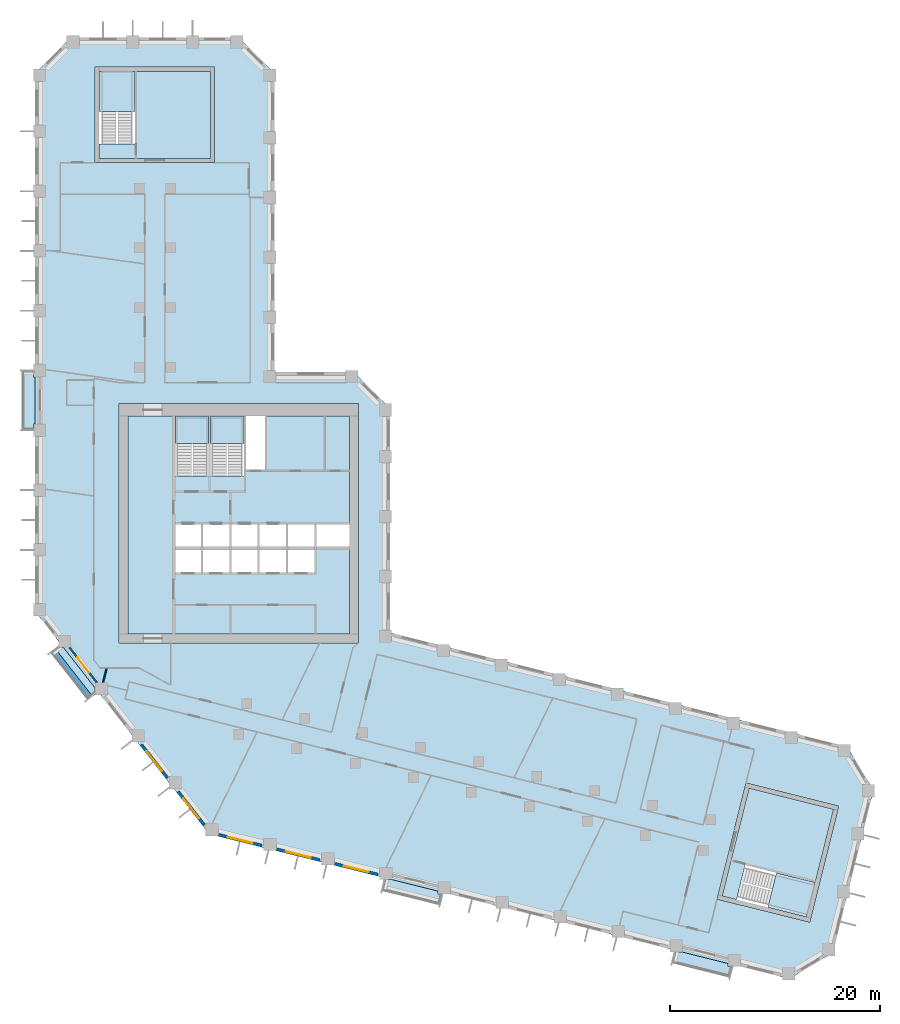
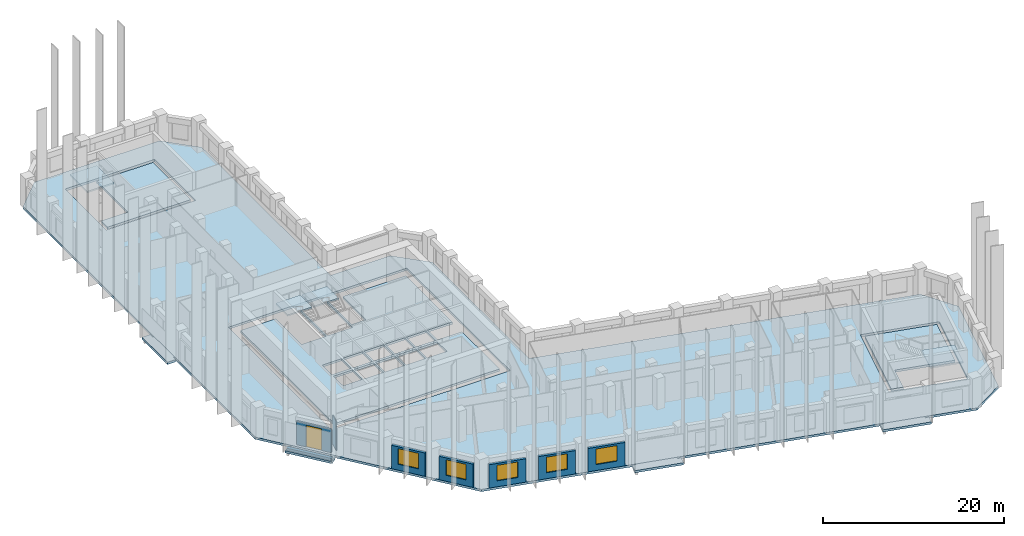
# One storey, part 2 of 10: 12 slabs, 8 walls, 5 windows, 1 door, 6 openings, 4 elements without a shape of their own.
"""IFC4 building model written with IfcOpenShell, lengths in metres."""

from ifc_helpers import new_model, si_unit, direction, frame, frame_2d, origin, place, context, subcontext, project, spatial, polyline, rectangle, outline, extrude, material, layer, layer_set, type_object, element, fill, aggregate, save


model = new_model("IFC4")

# Units and contexts
model_context = context("Model", 3, precision=1e-05, world=origin(), true_north=direction((0.0, 1.0)))
body_context = subcontext(model_context, "Body", "Model", "MODEL_VIEW")
ifc_project = project(units=[si_unit("LENGTHUNIT", "METRE"), si_unit("AREAUNIT", "SQUARE_METRE"), si_unit("VOLUMEUNIT", "CUBIC_METRE"), si_unit("PLANEANGLEUNIT", "RADIAN"), si_unit("MASSUNIT", "GRAM", prefix="KILO")], contexts=[model_context])

# Site, building, storey
site_placement = place(None, origin())
site = spatial("IfcSite", under=ifc_project, at=site_placement, CompositionType="ELEMENT")
building_placement = place(site_placement, origin())
building = spatial("IfcBuilding", under=site, at=building_placement, Name="Meshkara Civic Tower", CompositionType="ELEMENT")
storey_placement = place(building_placement, frame((0.0, 0.0, 195.0)))
storey = spatial("IfcBuildingStorey", under=building, at=storey_placement, Name="L44", CompositionType="ELEMENT", Elevation=195.0)

# Slabs
ifc_material_1 = material(Name="Concrete C40", Category="concrete")
ifc_layer_1 = layer(ifc_material_1, 0.300048828125)
ifc_layer_set_1 = layer_set([ifc_layer_1], Name="BALCONY SLAB")
slab_type_1 = type_object("IfcSlabType", Name="BALCONY SLAB", PredefinedType="FLOOR", material=ifc_layer_set_1)
slab_1_placement = place(storey_placement, frame((0.0, 0.0, -0.300048828125)))
element("IfcSlab", 1, at=slab_1_placement, inside=storey, type_object=slab_type_1, Name="Balcony slab", PredefinedType="FLOOR", context=body_context, shape_type="SweptSolid", body=[
    extrude(outline(polyline([(-1.199951171875, 34.4150390625), (-1.199951171875, 39.9951171875), (-0.14990234375, 39.9951171875), (-0.14990234375, 39.455078125), (0.0, 39.455078125), (0.0, 34.955078125), (-0.14990234375, 34.955078125), (-0.14990234375, 34.4150390625), (-1.199951171875, 34.4150390625)])), origin(), (0.0, 0.0, 1.0), 0.300048828125),
])
slab_2_placement = place(storey_placement, frame((0.0, 0.0, -0.300048828125)))
element("IfcSlab", 2, at=slab_2_placement, inside=storey, type_object=slab_type_1, Name="Balcony slab", PredefinedType="FLOOR", context=body_context, shape_type="SweptSolid", body=[
    extrude(outline(polyline([(4.986083984375, 8.76904296875), (1.551025390625, 13.166015625), (2.214111328125, 13.68408203125), (2.214111328125, 13.62890625), (2.7119140625, 13.62890625), (5.722900390625, 9.77490234375), (5.722900390625, 9.343994140625), (4.986083984375, 8.76904296875)])), origin(), (0.0, 0.0, 1.0), 0.300048828125),
])
slab_3_placement = place(storey_placement, frame((0.0, 0.0, -0.300048828125)))
element("IfcSlab", 3, at=slab_3_placement, inside=storey, type_object=slab_type_1, Name="Balcony slab", PredefinedType="FLOOR", context=body_context, shape_type="SweptSolid", body=[
    extrude(outline(polyline([(38.51708984375, -10.840087890625), (33.10205078125, -9.489990234375), (33.35498046875, -8.47509765625), (33.991943359375, -8.47509765625), (38.3740234375, -9.568115234375), (38.3740234375, -9.85302734375), (38.762939453125, -9.85302734375), (38.51708984375, -10.840087890625)])), origin(), (0.0, 0.0, 1.0), 0.300048828125),
])
slab_4_placement = place(storey_placement, frame((0.0, 0.0, -0.300048828125)))
element("IfcSlab", 4, at=slab_4_placement, inside=storey, type_object=slab_type_1, Name="Balcony slab", PredefinedType="FLOOR", context=body_context, shape_type="SweptSolid", body=[
    extrude(outline(polyline([(66.169921875, -17.73388671875), (60.756103515625, -16.385009765625), (61.009033203125, -15.368896484375), (61.64306640625, -15.368896484375), (66.027099609375, -16.4619140625), (66.027099609375, -16.748046875), (66.416015625, -16.748046875), (66.169921875, -17.73388671875)])), origin(), (0.0, 0.0, 1.0), 0.300048828125),
])
ifc_material_2 = material(Name="Concrete C40/50", Category="concrete")
ifc_layer_2 = layer(ifc_material_2, 0.300048828125)
ifc_layer_set_2 = layer_set([ifc_layer_2], Name="Core floor slab 300 C40/50")
slab_type_2 = type_object("IfcSlabType", Name="Core floor slab 300 C40/50", PredefinedType="FLOOR", material=ifc_layer_set_2)
slab_5_placement = place(storey_placement, frame((0.0, 0.0, -0.300048828125)))
element("IfcSlab", 5, at=slab_5_placement, inside=storey, type_object=slab_type_2, Name="Core floor K", PredefinedType="FLOOR", context=body_context, shape_type="SweptSolid", body=[
    extrude(outline(polyline([(8.85009765625, 35.699951171875), (13.3701171875, 35.699951171875), (13.3701171875, 30.00146484375), (16.5, 30.00146484375), (16.5, 35.699951171875), (16.699951171875, 35.699951171875), (16.699951171875, 30.00146484375), (19.89990234375, 30.00146484375), (19.89990234375, 35.699951171875), (20.10009765625, 35.699951171875), (20.10009765625, 30.574951171875), (21.925048828125, 30.574951171875), (21.925048828125, 35.699951171875), (29.949951171875, 35.699951171875), (29.949951171875, 25.39990234375), (26.800048828125, 25.39990234375), (26.800048828125, 23.27001953125), (29.949951171875, 23.27001953125), (29.949951171875, 14.949951171875), (8.85009765625, 14.949951171875), (8.85009765625, 35.699951171875)]), holes=[polyline([(15.800048828125, 22.929931640625), (13.3701171875, 22.929931640625), (13.3701171875, 20.800048828125), (15.800048828125, 20.800048828125), (15.800048828125, 22.929931640625)]), polyline([(16.0, 22.929931640625), (16.0, 20.800048828125), (18.5, 20.800048828125), (18.5, 22.929931640625), (16.0, 22.929931640625)]), polyline([(18.699951171875, 22.929931640625), (18.699951171875, 20.800048828125), (21.199951171875, 20.800048828125), (21.199951171875, 22.929931640625), (18.699951171875, 22.929931640625)]), polyline([(15.800048828125, 23.27001953125), (15.800048828125, 25.39990234375), (13.3701171875, 25.39990234375), (13.3701171875, 23.27001953125), (15.800048828125, 23.27001953125)]), polyline([(16.0, 25.39990234375), (16.0, 23.27001953125), (18.5, 23.27001953125), (18.5, 25.39990234375), (16.0, 25.39990234375)]), polyline([(23.89990234375, 20.800048828125), (23.89990234375, 22.929931640625), (21.39990234375, 22.929931640625), (21.39990234375, 20.800048828125), (23.89990234375, 20.800048828125)]), polyline([(24.10009765625, 20.800048828125), (26.60009765625, 20.800048828125), (26.60009765625, 22.929931640625), (24.10009765625, 22.929931640625), (24.10009765625, 20.800048828125)]), polyline([(18.699951171875, 25.39990234375), (18.699951171875, 23.27001953125), (21.199951171875, 23.27001953125), (21.199951171875, 25.39990234375), (18.699951171875, 25.39990234375)]), polyline([(21.39990234375, 23.27001953125), (23.89990234375, 23.27001953125), (23.89990234375, 25.39990234375), (21.39990234375, 25.39990234375), (21.39990234375, 23.27001953125)]), polyline([(24.10009765625, 23.27001953125), (26.60009765625, 23.27001953125), (26.60009765625, 25.39990234375), (24.10009765625, 25.39990234375), (24.10009765625, 23.27001953125)])]), origin(), (0.0, 0.0, 1.0), 0.300048828125),
])
slab_6_placement = place(storey_placement, frame((0.0, 0.0, -0.300048828125)))
element("IfcSlab", 6, at=slab_6_placement, inside=storey, type_object=slab_type_2, Name="Core floor EA", PredefinedType="FLOOR", context=body_context, shape_type="SweptSolid", body=[
    extrude(outline(polyline([(16.699951171875, 60.27001953125), (16.699951171875, 68.570068359375), (9.5, 68.570068359375), (9.5, 61.67138671875), (6.10009765625, 61.67138671875), (6.10009765625, 60.27001953125), (16.699951171875, 60.27001953125)])), origin(), (0.0, 0.0, 1.0), 0.300048828125),
])
slab_7_placement = place(storey_placement, frame((0.0, 0.0, -0.300048828125)))
element("IfcSlab", 7, at=slab_7_placement, inside=storey, type_object=slab_type_2, Name="Core floor EB", PredefinedType="FLOOR", context=body_context, shape_type="SweptSolid", body=[
    extrude(outline(polyline([(68.050537109375, 0.244384765625), (76.10400390625, -1.763671875), (74.362060546875, -8.749755859375), (67.66845703125, -7.080810546875), (66.845947265625, -10.3798828125), (65.486083984375, -10.040771484375), (68.050537109375, 0.244384765625)])), origin(), (0.0, 0.0, 1.0), 0.300048828125),
])

# Stair, slab
ifc_material_3 = material(Name="Precast concrete C40/50", Category="concrete")
stair_type = type_object("IfcStairType", Name="Exit stair half-turn 24 risers precast", PredefinedType="HALF_TURN_STAIR", material=ifc_material_3)
stair_1_placement = place(storey_placement, origin())
stair_1 = element("IfcStair", 8, at=stair_1_placement, inside=storey, type_object=stair_type, Name="L44 exit stair 1", PredefinedType="HALF_TURN_STAIR")
ifc_material_4 = material(Name="Precast concrete C40/50", Category="concrete")
ifc_layer_3 = layer(ifc_material_4, 0.199951171875)
ifc_layer_set_3 = layer_set([ifc_layer_3], Name="Exit stair landing 200")
slab_type_3 = type_object("IfcSlabType", Name="Exit stair landing 200", PredefinedType="LANDING", material=ifc_layer_set_3)
slab_8_placement = place(storey_placement, frame((0.0, 0.0, 1.89990234375)))
slab_8 = element("IfcSlab", 9, at=slab_8_placement, type_object=slab_type_3, Name="ST1 landing 1", PredefinedType="LANDING", context=body_context, shape_type="SweptSolid", body=[
    extrude(outline(polyline([(16.5, 33.07861328125), (16.5, 35.699951171875), (13.3701171875, 35.699951171875), (13.3701171875, 33.07861328125), (16.5, 33.07861328125)])), origin(), (0.0, 0.0, 1.0), 0.2001953125),
])
aggregate(stair_1, [slab_8])

stair_2_placement = place(storey_placement, origin())
stair_2 = element("IfcStair", 10, at=stair_2_placement, inside=storey, type_object=stair_type, Name="L44 exit stair 2", PredefinedType="HALF_TURN_STAIR")
slab_9_placement = place(storey_placement, frame((0.0, 0.0, 1.89990234375)))
slab_9 = element("IfcSlab", 11, at=slab_9_placement, type_object=slab_type_3, Name="ST2 landing 1", PredefinedType="LANDING", context=body_context, shape_type="SweptSolid", body=[
    extrude(outline(polyline([(19.89990234375, 33.07861328125), (19.89990234375, 35.699951171875), (16.699951171875, 35.699951171875), (16.699951171875, 33.07861328125), (19.89990234375, 33.07861328125)])), origin(), (0.0, 0.0, 1.0), 0.2001953125),
])
aggregate(stair_2, [slab_9])

stair_3_placement = place(storey_placement, origin())
stair_3 = element("IfcStair", 12, at=stair_3_placement, inside=storey, type_object=stair_type, Name="L44 exit stair A from L35", PredefinedType="HALF_TURN_STAIR")
slab_10_placement = place(storey_placement, frame((0.0, 0.0, 1.89990234375)))
slab_10 = element("IfcSlab", 13, at=slab_10_placement, type_object=slab_type_3, Name="ESA3 landing 1", PredefinedType="LANDING", context=body_context, shape_type="SweptSolid", body=[
    extrude(outline(polyline([(9.5, 64.74853515625), (9.5, 68.570068359375), (6.10009765625, 68.570068359375), (6.10009765625, 64.74853515625), (9.5, 64.74853515625)])), origin(), (0.0, 0.0, 1.0), 0.2001953125),
])
aggregate(stair_3, [slab_10])

stair_4_placement = place(storey_placement, origin())
stair_4 = element("IfcStair", 14, at=stair_4_placement, inside=storey, type_object=stair_type, Name="L44 exit stair B from L35", PredefinedType="HALF_TURN_STAIR")
slab_11_placement = place(storey_placement, frame((0.0, 0.0, 1.89990234375)))
slab_11 = element("IfcSlab", 15, at=slab_11_placement, type_object=slab_type_3, Name="ESB3 landing 1", PredefinedType="LANDING", context=body_context, shape_type="SweptSolid", body=[
    extrude(outline(polyline([(69.831298828125, -11.124755859375), (73.5400390625, -12.049072265625), (74.3623046875, -8.7490234375), (70.653564453125, -7.82470703125), (69.831298828125, -11.124755859375)])), origin(), (0.0, 0.0, 1.0), 0.2001953125),
])
aggregate(stair_4, [slab_11])

# Slab
ifc_material_5 = material(Name="Concrete C50", Category="concrete")
ifc_layer_4 = layer(ifc_material_5, 0.300048828125)
ifc_layer_set_4 = layer_set([ifc_layer_4], Name="Post-tensioned flat slab 300 C50")
slab_type_4 = type_object("IfcSlabType", Name="Post-tensioned flat slab 300 C50", PredefinedType="FLOOR", material=ifc_layer_set_4)
slab_12_placement = place(storey_placement, frame((0.0, 0.0, -0.300048828125)))
element("IfcSlab", 16, at=slab_12_placement, inside=storey, type_object=slab_type_4, Name="Post-tensioned flat slab L44", PredefinedType="FLOOR", context=body_context, shape_type="SweptSolid", body=[
    extrude(outline(polyline([(76.044921875, -15.43505859375), (71.89892578125, -17.926025390625), (16.592041015625, -4.136962890625), (0.0, 17.10009765625), (0.0, 68.39990234375), (3.419921875, 71.820068359375), (19.3798828125, 71.820068359375), (22.800048828125, 68.39990234375), (22.800048828125, 39.89990234375), (30.3798828125, 39.89990234375), (33.800048828125, 36.47998046875), (33.800048828125, 15.071044921875), (77.4150390625, 4.196044921875), (79.906005859375, 0.051025390625), (76.044921875, -15.43505859375)]), holes=[polyline([(73.8310546875, -12.533935546875), (76.589111328125, -1.471923828125), (67.759033203125, 0.72900390625), (65.0009765625, -10.33203125), (73.8310546875, -12.533935546875)]), polyline([(8.0, 14.10009765625), (30.800048828125, 14.10009765625), (30.800048828125, 36.89990234375), (8.0, 36.89990234375), (8.0, 14.10009765625)]), polyline([(5.699951171875, 68.969970703125), (5.699951171875, 59.8701171875), (17.10009765625, 59.8701171875), (17.10009765625, 68.969970703125), (5.699951171875, 68.969970703125)])]), origin(), (0.0, 0.0, 1.0), 0.300048828125),
])

# Wall, opening, window
ifc_material_6 = material(Name="Insulated infill panel with bronze anodised aluminium cladding", Category="aluminium")
ifc_layer_5 = layer(ifc_material_6, 0.300048828125)
ifc_layer_set_5 = layer_set([ifc_layer_5], Name="EXTERNAL INFILL WALL 300")
wall_type_1 = type_object("IfcWallType", Name="EXTERNAL INFILL WALL 300", PredefinedType="SOLIDWALL", material=ifc_layer_set_5)
wall_1_placement = place(storey_placement, frame((10.114990234375, 4.39697265625, 0.0), z_axis=(0.0, 0.0, 1.0), x_axis=(0.615644041972, -0.788024373725, 0.0)))
wall_1 = element("IfcWall", 17, at=wall_1_placement, inside=storey, type_object=wall_type_1, Name="External wall", PredefinedType="SOLIDWALL", context=body_context, shape_type="SweptSolid", body=[
    extrude(rectangle(XDim=4.01513671875, YDim=0.300048828125, at=frame_2d((2.007568359375, 0.0))), origin(), (0.0, 0.0, 1.0), 3.14990234375),
])
opening_1_placement = place(wall_1_placement, frame((0.806884765625, 0.0, 0.800048828125)))
opening_1 = element("IfcOpeningElement", 18, at=opening_1_placement, cuts=wall_1, Name="Opening W7", PredefinedType="OPENING", context=body_context, shape_type="SweptSolid", body=[
    extrude(rectangle(XDim=2.39990234375, YDim=2.10009765625, at=frame_2d((1.199951171875, 1.050048828125))), frame((0.0, 0.159912109375, 0.0), z_axis=(0.0, -1.0, 0.0), x_axis=(1.0, 0.0, 0.0)), (0.0, 0.0, 1.0), 0.320068359375),
])
ifc_material_7 = material(Name="Tinted double glazing", Category="glass")
window_type = type_object("IfcWindowType", Name="WINDOW 2400x2100", PartitioningType="DOUBLE_PANEL_VERTICAL", PredefinedType="WINDOW", material=ifc_material_7)
window_1_placement = place(opening_1_placement, origin())
window_1 = element("IfcWindow", 19, at=window_1_placement, inside=storey, type_object=window_type, Name="Window", OverallHeight=2.10009765625, OverallWidth=2.39990234375, PartitioningType="DOUBLE_PANEL_VERTICAL", PredefinedType="WINDOW", context=body_context, shape_type="SweptSolid", body=[
    extrude(rectangle(XDim=2.39990234375, YDim=2.10009765625, at=frame_2d((1.199951171875, 1.050048828125))), frame((0.0, 0.030029296875, 0.0), z_axis=(0.0, -1.0, 0.0), x_axis=(1.0, 0.0, 0.0)), (0.0, 0.0, 1.0), 0.06005859375),
])
fill(opening_1, window_1)

wall_2_placement = place(storey_placement, frame((13.6240234375, -0.093994140625, 0.0), z_axis=(0.0, 0.0, 1.0), x_axis=(0.615526062586, -0.7881165309, 0.0)))
wall_2 = element("IfcWall", 20, at=wall_2_placement, inside=storey, type_object=wall_type_1, Name="External wall", PredefinedType="SOLIDWALL", context=body_context, shape_type="SweptSolid", body=[
    extrude(rectangle(XDim=4.015869140625, YDim=0.300048828125, at=frame_2d((2.0078125, 0.0))), origin(), (0.0, 0.0, 1.0), 3.14990234375),
])
opening_2_placement = place(wall_2_placement, frame((0.80810546875, 0.0, 0.800048828125)))
opening_2 = element("IfcOpeningElement", 21, at=opening_2_placement, cuts=wall_2, Name="Opening W7", PredefinedType="OPENING", context=body_context, shape_type="SweptSolid", body=[
    extrude(rectangle(XDim=2.39990234375, YDim=2.10009765625, at=frame_2d((1.199951171875, 1.050048828125))), frame((0.0, 0.159912109375, 0.0), z_axis=(0.0, -1.0, 0.0), x_axis=(1.0, 0.0, 0.0)), (0.0, 0.0, 1.0), 0.320068359375),
])
window_2_placement = place(opening_2_placement, origin())
window_2 = element("IfcWindow", 22, at=window_2_placement, inside=storey, type_object=window_type, Name="Window", OverallHeight=2.10009765625, OverallWidth=2.39990234375, PartitioningType="DOUBLE_PANEL_VERTICAL", PredefinedType="WINDOW", context=body_context, shape_type="SweptSolid", body=[
    extrude(rectangle(XDim=2.39990234375, YDim=2.10009765625, at=frame_2d((1.199951171875, 1.050048828125))), frame((0.0, 0.030029296875, 0.0), z_axis=(0.0, -1.0, 0.0), x_axis=(1.0, 0.0, 0.0)), (0.0, 0.0, 1.0), 0.06005859375),
])
fill(opening_2, window_2)

wall_3_placement = place(storey_placement, frame((17.48388671875, -4.205078125, 0.0), z_axis=(0.0, 0.0, 1.0), x_axis=(0.970318118028, -0.241832069473, 0.0)))
wall_3 = element("IfcWall", 23, at=wall_3_placement, inside=storey, type_object=wall_type_1, Name="External wall", PredefinedType="SOLIDWALL", context=body_context, shape_type="SweptSolid", body=[
    extrude(rectangle(XDim=4.24609375, YDim=0.300048828125, at=frame_2d((2.123046875, 0.0))), origin(), (0.0, 0.0, 1.0), 3.14990234375),
])
opening_3_placement = place(wall_3_placement, frame((0.923095703125, 0.0, 0.800048828125)))
opening_3 = element("IfcOpeningElement", 24, at=opening_3_placement, cuts=wall_3, Name="Opening W7", PredefinedType="OPENING", context=body_context, shape_type="SweptSolid", body=[
    extrude(rectangle(XDim=2.39990234375, YDim=2.10009765625, at=frame_2d((1.199951171875, 1.050048828125))), frame((0.0, 0.159912109375, 0.0), z_axis=(0.0, -1.0, 0.0), x_axis=(1.0, 0.0, 0.0)), (0.0, 0.0, 1.0), 0.320068359375),
])
window_3_placement = place(opening_3_placement, origin())
window_3 = element("IfcWindow", 25, at=window_3_placement, inside=storey, type_object=window_type, Name="Window", OverallHeight=2.10009765625, OverallWidth=2.39990234375, PartitioningType="DOUBLE_PANEL_VERTICAL", PredefinedType="WINDOW", context=body_context, shape_type="SweptSolid", body=[
    extrude(rectangle(XDim=2.39990234375, YDim=2.10009765625, at=frame_2d((1.199951171875, 1.050048828125))), frame((0.0, 0.030029296875, 0.0), z_axis=(0.0, -1.0, 0.0), x_axis=(1.0, 0.0, 0.0)), (0.0, 0.0, 1.0), 0.06005859375),
])
fill(opening_3, window_3)

wall_4_placement = place(storey_placement, frame((23.014892578125, -5.583984375, 0.0), z_axis=(0.0, 0.0, 1.0), x_axis=(0.970291164166, -0.241940192487, 0.0)))
wall_4 = element("IfcWall", 26, at=wall_4_placement, inside=storey, type_object=wall_type_1, Name="External wall", PredefinedType="SOLIDWALL", context=body_context, shape_type="SweptSolid", body=[
    extrude(rectangle(XDim=4.245361328125, YDim=0.300048828125, at=frame_2d((2.12255859375, 0.0))), origin(), (0.0, 0.0, 1.0), 3.14990234375),
])
opening_4_placement = place(wall_4_placement, frame((0.922119140625, 0.0, 0.800048828125)))
opening_4 = element("IfcOpeningElement", 27, at=opening_4_placement, cuts=wall_4, Name="Opening W7", PredefinedType="OPENING", context=body_context, shape_type="SweptSolid", body=[
    extrude(rectangle(XDim=2.39990234375, YDim=2.10009765625, at=frame_2d((1.199951171875, 1.050048828125))), frame((0.0, 0.159912109375, 0.0), z_axis=(0.0, -1.0, 0.0), x_axis=(1.0, 0.0, 0.0)), (0.0, 0.0, 1.0), 0.320068359375),
])
window_4_placement = place(opening_4_placement, origin())
window_4 = element("IfcWindow", 28, at=window_4_placement, inside=storey, type_object=window_type, Name="Window", OverallHeight=2.10009765625, OverallWidth=2.39990234375, PartitioningType="DOUBLE_PANEL_VERTICAL", PredefinedType="WINDOW", context=body_context, shape_type="SweptSolid", body=[
    extrude(rectangle(XDim=2.39990234375, YDim=2.10009765625, at=frame_2d((1.199951171875, 1.050048828125))), frame((0.0, 0.030029296875, 0.0), z_axis=(0.0, -1.0, 0.0), x_axis=(1.0, 0.0, 0.0)), (0.0, 0.0, 1.0), 0.06005859375),
])
fill(opening_4, window_4)

wall_5_placement = place(storey_placement, frame((28.544921875, -6.962890625, 0.0), z_axis=(0.0, 0.0, 1.0), x_axis=(0.97030462482, -0.241886202691, 0.0)))
wall_5 = element("IfcWall", 29, at=wall_5_placement, inside=storey, type_object=wall_type_1, Name="External wall", PredefinedType="SOLIDWALL", context=body_context, shape_type="SweptSolid", body=[
    extrude(rectangle(XDim=4.24609375, YDim=0.300048828125, at=frame_2d((2.123046875, 0.0))), origin(), (0.0, 0.0, 1.0), 3.14990234375),
])
opening_5_placement = place(wall_5_placement, frame((0.923095703125, 0.0, 0.800048828125)))
opening_5 = element("IfcOpeningElement", 30, at=opening_5_placement, cuts=wall_5, Name="Opening W7", PredefinedType="OPENING", context=body_context, shape_type="SweptSolid", body=[
    extrude(rectangle(XDim=2.39990234375, YDim=2.10009765625, at=frame_2d((1.199951171875, 1.050048828125))), frame((0.0, 0.159912109375, 0.0), z_axis=(0.0, -1.0, 0.0), x_axis=(1.0, 0.0, 0.0)), (0.0, 0.0, 1.0), 0.320068359375),
])
window_5_placement = place(opening_5_placement, origin())
window_5 = element("IfcWindow", 31, at=window_5_placement, inside=storey, type_object=window_type, Name="Window", OverallHeight=2.10009765625, OverallWidth=2.39990234375, PartitioningType="DOUBLE_PANEL_VERTICAL", PredefinedType="WINDOW", context=body_context, shape_type="SweptSolid", body=[
    extrude(rectangle(XDim=2.39990234375, YDim=2.10009765625, at=frame_2d((1.199951171875, 1.050048828125))), frame((0.0, 0.030029296875, 0.0), z_axis=(0.0, -1.0, 0.0), x_axis=(1.0, 0.0, 0.0)), (0.0, 0.0, 1.0), 0.06005859375),
])
fill(opening_5, window_5)

# Wall, opening, door
ifc_material_8 = material(Name="Insulated infill panel with bronze anodised aluminium cladding", Category="aluminium")
ifc_layer_6 = layer(ifc_material_8, 0.199951171875)
ifc_layer_set_6 = layer_set([ifc_layer_6], Name="LOGGIA BACK WALL 200")
wall_type_2 = type_object("IfcWallType", Name="LOGGIA BACK WALL 200", PredefinedType="SOLIDWALL", material=ifc_layer_set_6)
wall_6_placement = place(storey_placement, frame((3.282958984375, 13.62890625, 0.0), z_axis=(0.0, 0.0, 1.0), x_axis=(0.615666723149, -0.78800665353, 0.0)))
wall_6 = element("IfcWall", 32, at=wall_6_placement, inside=storey, type_object=wall_type_2, Name="Loggia wall", PredefinedType="SOLIDWALL", context=body_context, shape_type="SweptSolid", body=[
    extrude(rectangle(XDim=4.177734375, YDim=0.199951171875, at=frame_2d((2.0888671875, 0.0))), origin(), (0.0, 0.0, 1.0), 3.14990234375),
])
opening_6_placement = place(wall_6_placement, frame((1.18798828125, 0.0, 0.0)))
opening_6 = element("IfcOpeningElement", 33, at=opening_6_placement, cuts=wall_6, Name="Opening L44-L002", PredefinedType="OPENING", context=body_context, shape_type="SweptSolid", body=[
    extrude(rectangle(XDim=1.800048828125, YDim=2.89990234375, at=frame_2d((0.89990234375, 1.449951171875))), frame((0.0, 0.10986328125, 0.0), z_axis=(0.0, -1.0, 0.0), x_axis=(1.0, 0.0, 0.0)), (0.0, 0.0, 1.0), 0.219970703125),
])
ifc_material_9 = material(Name="Tinted double glazing", Category="glass")
door_type = type_object("IfcDoorType", Name="LOGGIA DOOR 1800x2900", OperationType="DOUBLE_DOOR_SINGLE_SWING", PredefinedType="DOOR", material=ifc_material_9)
door_placement = place(opening_6_placement, origin())
door = element("IfcDoor", 34, at=door_placement, inside=storey, type_object=door_type, Name="L44-L002", OperationType="DOUBLE_DOOR_SINGLE_SWING", OverallHeight=2.89990234375, OverallWidth=1.800048828125, PredefinedType="DOOR", context=body_context, shape_type="SweptSolid", body=[
    extrude(rectangle(XDim=1.800048828125, YDim=2.89990234375, at=frame_2d((0.89990234375, 1.449951171875))), frame((0.0, 0.02490234375, 0.0), z_axis=(0.0, -1.0, 0.0), x_axis=(1.0, 0.0, 0.0)), (0.0, 0.0, 1.0), 0.050048828125),
])
fill(opening_6, door)

# Walls
ifc_material_10 = material(Name="Concrete C40", Category="concrete")
ifc_layer_7 = layer(ifc_material_10, 0.39990234375)
ifc_layer_set_7 = layer_set([ifc_layer_7], Name="PLANTER TRAY")
wall_type_3 = type_object("IfcWallType", Name="PLANTER TRAY", PredefinedType="SOLIDWALL", material=ifc_layer_set_7)
wall_7_placement = place(storey_placement, frame((1.87109375, 13.27587890625, 0.0), z_axis=(0.0, 0.0, 1.0), x_axis=(0.615632551218, -0.788033350741, 0.0)))
element("IfcWall", 35, at=wall_7_placement, inside=storey, type_object=wall_type_3, Name="Planter", PredefinedType="SOLIDWALL", context=body_context, shape_type="SweptSolid", body=[
    extrude(rectangle(XDim=5.360107421875, YDim=0.39990234375, at=frame_2d((2.68017578125, 0.0))), origin(), (0.0, 0.0, 1.0), 0.300048828125),
])
ifc_material_11 = material(Name="Partition 100")
ifc_layer_8 = layer(ifc_material_11, 0.10009765625)
ifc_layer_set_8 = layer_set([ifc_layer_8], Name="Partition 100")
wall_type_4 = type_object("IfcWallType", Name="Partition 100", PredefinedType="PARTITIONING", material=ifc_layer_set_8)
wall_8_placement = place(storey_placement, frame((6.797119140625, 11.637939453125, 0.0), z_axis=(0.0, 0.0, 1.0), x_axis=(-0.242492789119, -0.97015320812, 0.0)))
element("IfcWall", 36, at=wall_8_placement, inside=storey, type_object=wall_type_4, Name="L44-W047", PredefinedType="PARTITIONING", context=body_context, shape_type="SweptSolid", body=[
    extrude(rectangle(XDim=1.341064453125, YDim=0.10009765625, at=frame_2d((0.67041015625, 0.0))), origin(), (0.0, 0.0, 1.0), 3.89990234375),
])

save(model, "model.ifc")
